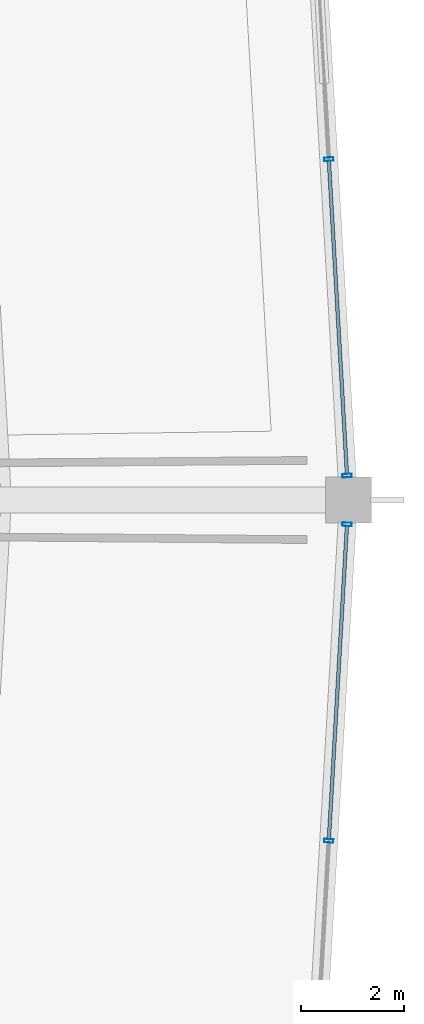
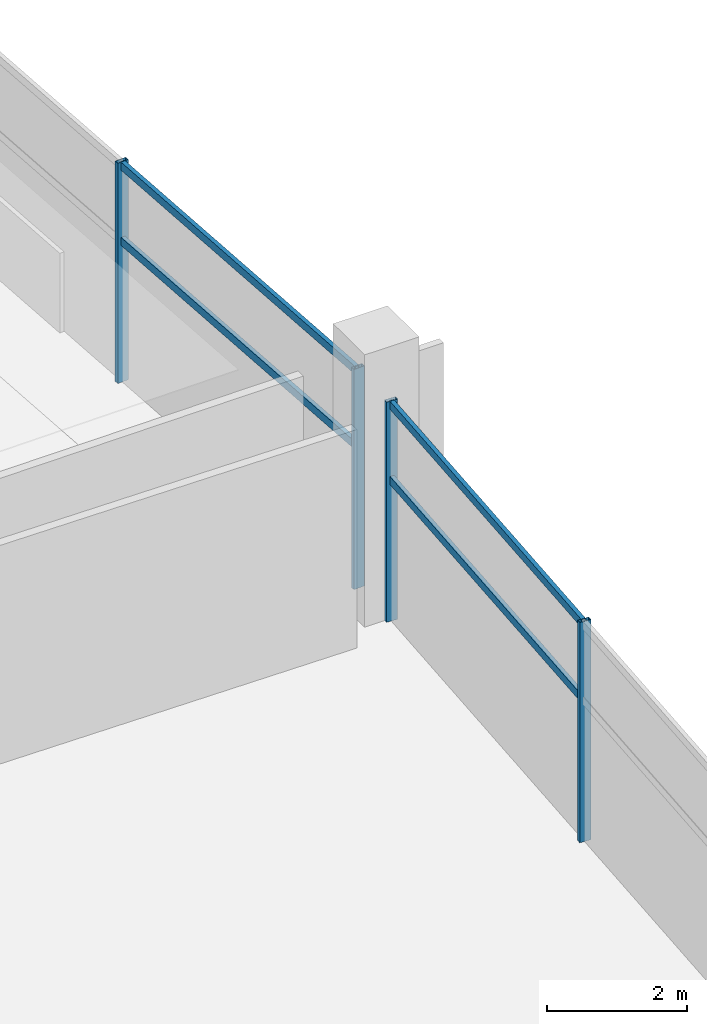
# One storey, part 62 of 156: 8 members, 2 elements without a shape of their own.
"""IFC4 building model written with IfcOpenShell, lengths in metres."""

import ifcopenshell
import ifcopenshell.guid

model = None  # the IFC model being written
_history = None  # IfcOwnerHistory: only IFC2X3 demands one
_inside = {}  # id of a spatial element -> (the spatial element, [elements in it])
_under = {}  # id of a project, library or spatial element -> (it, [spatial elements below it])
_declared = {}  # id of a project -> (the project, [libraries it declares])
_typed = {}  # id of a type object -> (the type object, [elements of that type])
_made_of = {}  # id of a material, layer set ... -> (it, [elements and type objects made of it])


def new_model(schema):
    """Start an empty IFC model of exactly this schema.

    Asked for "IFC4X3", IfcOpenShell would pick the latest addendum, in which some entities
    have other attributes; the version numbers below select the first issue.
    IFC2X3 requires an IfcOwnerHistory on every rooted entity: one is made here for all.
    """
    global model, _history
    if schema == "IFC4X3":
        model = ifcopenshell.file(schema_version=(4, 3, 0, 0))
    else:
        model = ifcopenshell.file(schema=schema)
    _inside.clear()
    _under.clear()
    _declared.clear()
    _typed.clear()
    _made_of.clear()
    _history = None
    if model.schema == "IFC2X3":
        org = make("IfcOrganization", Name="unknown")
        user = make(
            "IfcPersonAndOrganization",
            ThePerson=make("IfcPerson", FamilyName="unknown"),
            TheOrganization=org,
        )
        app = make(
            "IfcApplication",
            ApplicationDeveloper=org,
            Version="unknown",
            ApplicationFullName="unknown",
            ApplicationIdentifier="unknown",
        )
        _history = make(
            "IfcOwnerHistory",
            OwningUser=user,
            OwningApplication=app,
            ChangeAction="ADDED",
            CreationDate=0,
        )
    return model


def make(cls, **values):
    """One entity of the class cls with the attributes given. An attribute that is None is left unset."""
    return model.create_entity(
        cls, **{name: value for name, value in values.items() if value is not None}
    )


def rooted(cls, **values):
    """An entity with a GlobalId (a new one), such as an element, a storey or a relation."""
    return make(cls, GlobalId=ifcopenshell.guid.new(), OwnerHistory=_history, **values)


def si_unit(unit_type, name, prefix=None):
    """IfcSIUnit, for example si_unit("LENGTHUNIT", "METRE", prefix="MILLI")."""
    return make("IfcSIUnit", UnitType=unit_type, Prefix=prefix, Name=name)


def assignment(units):
    """IfcUnitAssignment: the units of a project."""
    return None if units is None else make("IfcUnitAssignment", Units=units)


def point(xyz):
    """IfcCartesianPoint."""
    return None if xyz is None else make("IfcCartesianPoint", Coordinates=xyz)


def direction(xyz):
    """IfcDirection."""
    return None if xyz is None else make("IfcDirection", DirectionRatios=xyz)


def frame(location, z_axis=None, x_axis=None):
    """IfcAxis2Placement3D, a coordinate frame: its origin and axes. An axis left out is left unset."""
    return make(
        "IfcAxis2Placement3D",
        Location=point(location),
        Axis=direction(z_axis),
        RefDirection=direction(x_axis),
    )


def frame_2d(location, x_axis=None):
    """IfcAxis2Placement2D, a coordinate frame in the plane: its origin and x axis."""
    return make(
        "IfcAxis2Placement2D", Location=point(location), RefDirection=direction(x_axis)
    )


def origin():
    """The frame at (0, 0, 0) with its axes left unset."""
    return frame((0.0, 0.0, 0.0))


def origin_2d():
    """The frame at (0, 0) in the plane with its x axis left unset."""
    return frame_2d((0.0, 0.0))


def place(relative_to, where):
    """IfcLocalPlacement: puts the frame where relative to a parent placement (None: the world)."""
    return make(
        "IfcLocalPlacement", PlacementRelTo=relative_to, RelativePlacement=where
    )


def context(
    kind, dimensions, precision=None, world=None, true_north=None, identifier=None
):
    """IfcGeometricRepresentationContext, for example the 3D "Model" context."""
    return make(
        "IfcGeometricRepresentationContext",
        ContextIdentifier=identifier,
        ContextType=kind,
        CoordinateSpaceDimension=dimensions,
        Precision=precision,
        WorldCoordinateSystem=world,
        TrueNorth=true_north,
    )


def subcontext(parent, identifier, kind, view, scale=None):
    """IfcGeometricRepresentationSubContext, for example "Body" below "Model"."""
    return make(
        "IfcGeometricRepresentationSubContext",
        ContextIdentifier=identifier,
        ContextType=kind,
        ParentContext=parent,
        TargetScale=scale,
        TargetView=view,
    )


def project(units=None, contexts=None):
    """IfcProject with its units and contexts."""
    return rooted(
        "IfcProject",
        Name="project",
        RepresentationContexts=contexts,
        UnitsInContext=assignment(units),
    )


def spatial(cls, under=None, at=None, **own):
    """A site, building, storey or space (cls), placed at a placement, below another one or the project."""
    s = rooted(cls, ObjectPlacement=at, **own)
    if under is not None:
        _under.setdefault(under.id(), (under, []))[1].append(s)
    return s


def profile(cls, at=None, kind="AREA", **sizes):
    """A parametric profile (cls). Its sizes go by their IFC names, for example OverallWidth=200.0."""
    return make(cls, ProfileType=kind, Position=at, **sizes)


def hollow_rectangle(**sizes):
    """IfcRectangleHollowProfileDef."""
    return profile("IfcRectangleHollowProfileDef", **sizes)


def extrude(swept, where, along, depth):
    """IfcExtrudedAreaSolid: the profile swept, set in the frame where, extruded along a direction by depth."""
    return make(
        "IfcExtrudedAreaSolid",
        SweptArea=swept,
        Position=where,
        ExtrudedDirection=direction(along),
        Depth=depth,
    )


def shape(context_of_items, identifier, shape_type, items):
    """IfcShapeRepresentation: the items that make up one representation, for example the "Body"."""
    return make(
        "IfcShapeRepresentation",
        ContextOfItems=context_of_items,
        RepresentationIdentifier=identifier,
        RepresentationType=shape_type,
        Items=items,
    )


def material(Name=None, Category=None):
    """IfcMaterial."""
    return make("IfcMaterial", Name=Name, Category=Category)


def layer(
    of_material, thickness, ventilated=None, Name=None, Category=None, Priority=None
):
    """IfcMaterialLayer: one layer of a wall or slab, of a material (None: an air gap)."""
    return make(
        "IfcMaterialLayer",
        Material=of_material,
        LayerThickness=thickness,
        IsVentilated=ventilated,
        Name=Name,
        Category=Category,
        Priority=Priority,
    )


def layer_set(layers, Name=None):
    """IfcMaterialLayerSet."""
    return make("IfcMaterialLayerSet", MaterialLayers=layers, LayerSetName=Name)


def material_profile(
    of_material, cross_section, Name=None, Category=None, Priority=None
):
    """IfcMaterialProfile: a cross section and its material."""
    return make(
        "IfcMaterialProfile",
        Name=Name,
        Material=of_material,
        Profile=cross_section,
        Priority=Priority,
        Category=Category,
    )


def profile_set(profiles, Name=None, composite=None):
    """IfcMaterialProfileSet."""
    return make(
        "IfcMaterialProfileSet",
        Name=Name,
        MaterialProfiles=profiles,
        CompositeProfile=composite,
    )


def made_of(thing, what):
    """Note that an element or type object is made of a material, layer set ...; save() writes the relation."""
    if what is not None:
        _made_of.setdefault(what.id(), (what, []))[1].append(thing)
    return thing


def type_object(cls, material=None, **own):
    """A type object (cls), such as IfcWallType, which elements share."""
    return made_of(rooted(cls, **own), material)


def element(
    cls,
    number,
    at=None,
    inside=None,
    cuts=None,
    type_object=None,
    material=None,
    context=None,
    identifier="Body",
    shape_type=None,
    held_by="IfcProductDefinitionShape",
    body=None,
    shapes=None,
    **own,
):
    """One element of the class cls, such as IfcWall. Its Tag is "e" and its number.

    at: its placement. inside: the storey or other place that contains it. cuts: it is an
    opening in that element (IfcRelVoidsElement). A single representation is given by context,
    identifier, shape_type and body (its items); several are given by shapes. held_by: the class
    of the entity that holds the representations. save() writes the other relations.
    """
    e = rooted(cls, Tag="e%d" % number, ObjectPlacement=at, **own)
    if body is not None:
        shapes = [shape(context, identifier, shape_type, body)]
    if shapes is not None:
        e.Representation = make(held_by, Representations=shapes)
    if inside is not None:
        _inside.setdefault(inside.id(), (inside, []))[1].append(e)
    if cuts is not None:
        rooted(
            "IfcRelVoidsElement", RelatingBuildingElement=cuts, RelatedOpeningElement=e
        )
    if type_object is not None:
        _typed.setdefault(type_object.id(), (type_object, []))[1].append(e)
    return made_of(e, material)


def aggregate(whole, parts):
    """IfcRelAggregates: a whole, such as a stair, and the parts it consists of."""
    return rooted("IfcRelAggregates", RelatingObject=whole, RelatedObjects=parts)


def save(model, path):
    """Write the relations noted so far, then the file.

    IfcRelAggregates (storeys below a building ...), IfcRelContainedInSpatialStructure (elements
    in a storey), IfcRelDefinesByType, IfcRelAssociatesMaterial and IfcRelDeclares: one each for
    every whole, place, type object, material and project.
    """
    for whole, parts in _under.values():
        aggregate(whole, parts)
    for where, things in _inside.values():
        rooted(
            "IfcRelContainedInSpatialStructure",
            RelatedElements=things,
            RelatingStructure=where,
        )
    for kind, things in _typed.values():
        rooted("IfcRelDefinesByType", RelatedObjects=things, RelatingType=kind)
    for what, things in _made_of.values():
        rooted("IfcRelAssociatesMaterial", RelatedObjects=things, RelatingMaterial=what)
    for by, libraries in _declared.values():
        rooted("IfcRelDeclares", RelatingContext=by, RelatedDefinitions=libraries)
    model.write(path)


model = new_model("IFC4")

# Units and contexts
model_context = context("Model", 3, precision=1e-05, world=origin(), true_north=direction((0.0, 1.0)))
body_context = subcontext(model_context, "Body", "Model", "MODEL_VIEW")
ifc_project = project(units=[si_unit("LENGTHUNIT", "METRE"), si_unit("AREAUNIT", "SQUARE_METRE"), si_unit("VOLUMEUNIT", "CUBIC_METRE"), si_unit("PLANEANGLEUNIT", "RADIAN"), si_unit("MASSUNIT", "GRAM", prefix="KILO")], contexts=[model_context])

# Site, building, storey
site_placement = place(None, origin())
site = spatial("IfcSite", under=ifc_project, at=site_placement, CompositionType="ELEMENT")
building_placement = place(site_placement, origin())
building = spatial("IfcBuilding", under=site, at=building_placement, Name="Kazemori Nagisa Stadium", CompositionType="ELEMENT")
storey_placement = place(building_placement, frame((0.0, 0.0, 5.780029296875)))
storey = spatial("IfcBuildingStorey", under=building, at=storey_placement, Name="L01", CompositionType="ELEMENT", Elevation=5.780029296875)

# Curtain wall, members
ifc_material_1 = material(Name="Anodised aluminium 6063-T5", Category="aluminium")
ifc_layer = layer(ifc_material_1, 0.179931640625, Name="Anodised aluminium 6063-T5", Category="aluminium")
ifc_layer_set = layer_set([ifc_layer], Name="Anodised aluminium 6063-T5")
curtain_wall_type = type_object("IfcCurtainWallType", Name="CW_L01R3_93", PredefinedType="USERDEFINED", material=ifc_layer_set)
curtain_wall_1_placement = place(storey_placement, origin())
curtain_wall_1 = element("IfcCurtainWall", 1, at=curtain_wall_1_placement, inside=storey, type_object=curtain_wall_type, Name="Unitised curtain wall CW-L01R3-93 L01", ObjectType="UNITISED CURTAIN WALL", PredefinedType="USERDEFINED")
ifc_material_2 = material(Name="Aluminium 6063-T5 anodised", Category="aluminium")
ifc_material_profile_1 = material_profile(ifc_material_2, hollow_rectangle(XDim=0.070068359375, YDim=0.179931640625, WallThickness=0.00390625, at=origin_2d()), Name="ALU-MULL-70x180x4")
ifc_profile_set_1 = profile_set([ifc_material_profile_1], Name="Aluminium 6063-T5 anodised")
member_type_1 = type_object("IfcMemberType", Name="Mullion_M01", PredefinedType="MULLION", material=ifc_profile_set_1)
member_1_placement = place(storey_placement, frame((217.97265625, 102.47412109375, 0.0), z_axis=(0.0, 0.0, 1.0), x_axis=(-0.057601670941, 0.998339645364, 0.0)))
member_1 = element("IfcMember", 2, at=member_1_placement, type_object=member_type_1, Name="Curtain wall mullion CW-L01R3-93-M1", PredefinedType="MULLION", context=body_context, shape_type="SweptSolid", body=[
    extrude(hollow_rectangle(XDim=0.070068359375, YDim=0.179931640625, WallThickness=0.00390625, at=origin_2d()), origin(), (0.0, 0.0, 1.0), 3.849853515625),
])
member_2_placement = place(storey_placement, frame((217.617919921875, 108.6240234375, 0.0), z_axis=(0.0, 0.0, 1.0), x_axis=(-0.057601670941, 0.998339645364, 0.0)))
member_2 = element("IfcMember", 3, at=member_2_placement, type_object=member_type_1, Name="Curtain wall mullion CW-L01R3-93-M2", PredefinedType="MULLION", context=body_context, shape_type="SweptSolid", body=[
    extrude(hollow_rectangle(XDim=0.070068359375, YDim=0.179931640625, WallThickness=0.00390625, at=origin_2d()), origin(), (0.0, 0.0, 1.0), 3.849853515625),
])

curtain_wall_2_placement = place(storey_placement, origin())
curtain_wall_2 = element("IfcCurtainWall", 4, at=curtain_wall_2_placement, inside=storey, type_object=curtain_wall_type, Name="Unitised curtain wall CW-L01R3-93 L01", ObjectType="UNITISED CURTAIN WALL", PredefinedType="USERDEFINED")
member_3_placement = place(storey_placement, frame((217.617919921875, 95.3759765625, 0.0), z_axis=(0.0, 0.0, 1.0), x_axis=(0.057601670941, 0.998339645364, 0.0)))
member_3 = element("IfcMember", 5, at=member_3_placement, type_object=member_type_1, Name="Curtain wall mullion CW-L01R3-93-M3", PredefinedType="MULLION", context=body_context, shape_type="SweptSolid", body=[
    extrude(hollow_rectangle(XDim=0.070068359375, YDim=0.179931640625, WallThickness=0.00390625, at=origin_2d()), origin(), (0.0, 0.0, 1.0), 3.849853515625),
])
member_4_placement = place(storey_placement, frame((217.97265625, 101.52587890625, 0.0), z_axis=(0.0, 0.0, 1.0), x_axis=(0.057601670941, 0.998339645364, 0.0)))
member_4 = element("IfcMember", 6, at=member_4_placement, type_object=member_type_1, Name="Curtain wall mullion CW-L01R3-93-M4", PredefinedType="MULLION", context=body_context, shape_type="SweptSolid", body=[
    extrude(hollow_rectangle(XDim=0.070068359375, YDim=0.179931640625, WallThickness=0.00390625, at=origin_2d()), origin(), (0.0, 0.0, 1.0), 3.849853515625),
])

# Member
ifc_material_profile_2 = material_profile(ifc_material_2, hollow_rectangle(XDim=0.070068359375, YDim=0.139892578125, WallThickness=0.00390625, at=origin_2d()), Name="ALU-TRAN-70x140x4")
ifc_profile_set_2 = profile_set([ifc_material_profile_2], Name="Aluminium 6063-T5 anodised")
member_type_2 = type_object("IfcMemberType", Name="Transom_T01", PredefinedType="USERDEFINED", material=ifc_profile_set_2)
member_5_placement = place(storey_placement, frame((217.971435546875, 102.494140625, 2.4638671875), z_axis=(-0.057604181202, 0.998339500525, 0.0), x_axis=(-0.998339500525, -0.057604181202, 0.0)))
member_5 = element("IfcMember", 7, at=member_5_placement, type_object=member_type_2, Name="Curtain wall transom CW-L01R3-93-T1-mid", ObjectType="TRANSOM", PredefinedType="USERDEFINED", context=body_context, shape_type="SweptSolid", body=[
    extrude(hollow_rectangle(XDim=0.070068359375, YDim=0.139892578125, WallThickness=0.00390625, at=origin_2d()), origin(), (0.0, 0.0, 1.0), 6.1201171875),
])

member_6_placement = place(storey_placement, frame((217.971435546875, 102.494140625, 3.780029296875), z_axis=(-0.057604181202, 0.998339500525, 0.0), x_axis=(-0.998339500525, -0.057604181202, 0.0)))
member_6 = element("IfcMember", 8, at=member_6_placement, type_object=member_type_2, Name="Curtain wall transom CW-L01R3-93-T1-head", ObjectType="TRANSOM", PredefinedType="USERDEFINED", context=body_context, shape_type="SweptSolid", body=[
    extrude(hollow_rectangle(XDim=0.070068359375, YDim=0.139892578125, WallThickness=0.00390625, at=origin_2d()), origin(), (0.0, 0.0, 1.0), 6.1201171875),
])

aggregate(curtain_wall_1, [member_1, member_2, member_5, member_6])

member_7_placement = place(storey_placement, frame((217.618896484375, 95.39599609375, 2.4638671875), z_axis=(0.057604181202, 0.998339500525, 0.0), x_axis=(-0.998339500525, 0.057604181202, 0.0)))
member_7 = element("IfcMember", 9, at=member_7_placement, type_object=member_type_2, Name="Curtain wall transom CW-L01R3-93-T3-mid", ObjectType="TRANSOM", PredefinedType="USERDEFINED", context=body_context, shape_type="SweptSolid", body=[
    extrude(hollow_rectangle(XDim=0.070068359375, YDim=0.139892578125, WallThickness=0.00390625, at=origin_2d()), origin(), (0.0, 0.0, 1.0), 6.1201171875),
])

member_8_placement = place(storey_placement, frame((217.618896484375, 95.39599609375, 3.780029296875), z_axis=(0.057604181202, 0.998339500525, 0.0), x_axis=(-0.998339500525, 0.057604181202, 0.0)))
member_8 = element("IfcMember", 10, at=member_8_placement, type_object=member_type_2, Name="Curtain wall transom CW-L01R3-93-T3-head", ObjectType="TRANSOM", PredefinedType="USERDEFINED", context=body_context, shape_type="SweptSolid", body=[
    extrude(hollow_rectangle(XDim=0.070068359375, YDim=0.139892578125, WallThickness=0.00390625, at=origin_2d()), origin(), (0.0, 0.0, 1.0), 6.1201171875),
])

aggregate(curtain_wall_2, [member_3, member_4, member_7, member_8])

save(model, "model.ifc")
